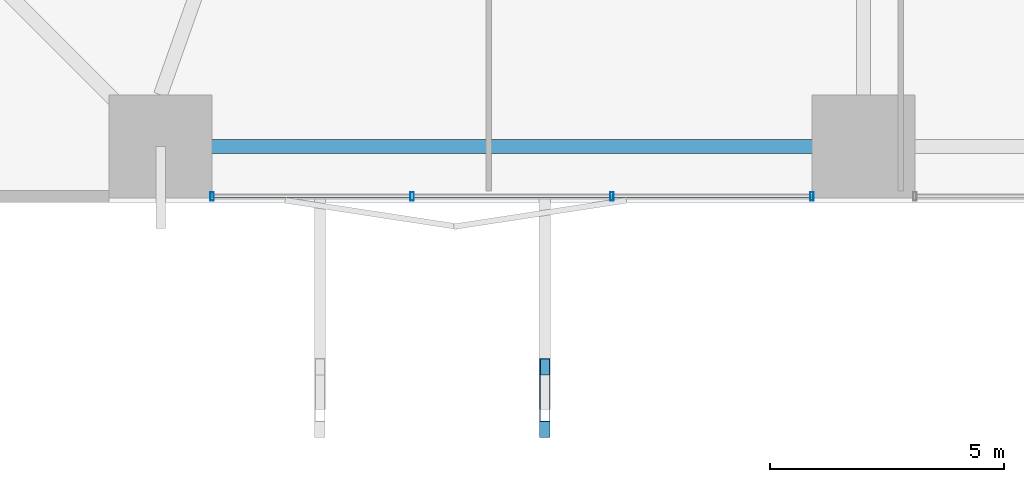
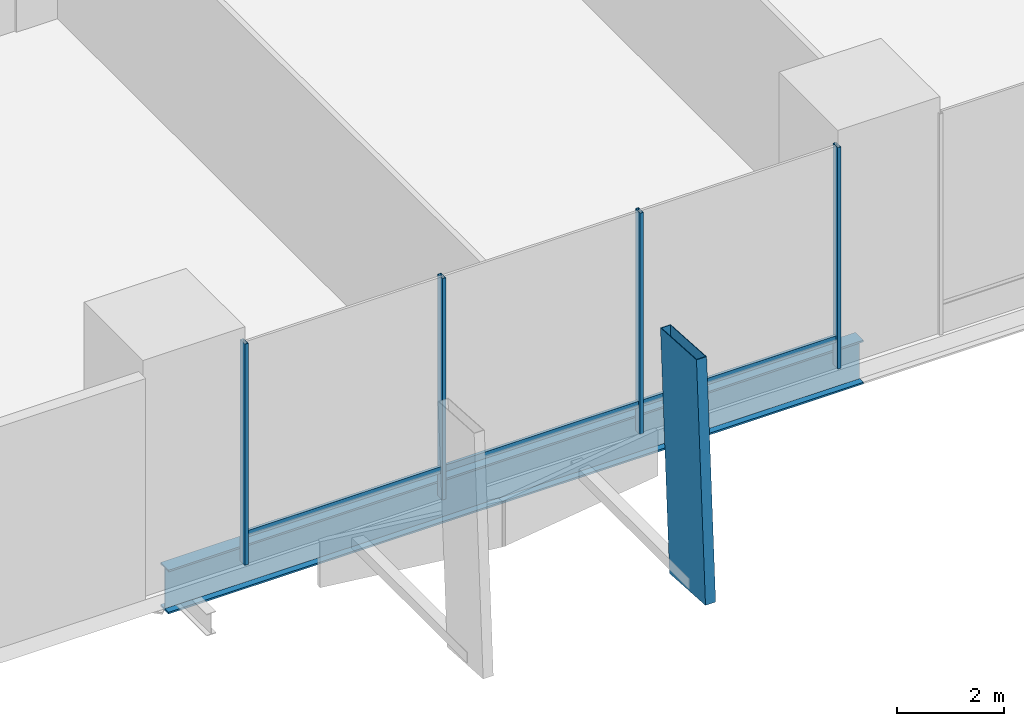
# One storey, part 2 of 24: 8 members, 1 beam, 1 element without a shape of its own.
"""IFC4 building model written with IfcOpenShell, lengths in metres."""

from ifc_helpers import new_model, si_unit, direction, frame, origin, origin_2d, place, context, subcontext, project, spatial, hollow_rectangle, i_section, extrude, material, layer, layer_set, material_profile, profile_set, type_object, element, aggregate, save


model = new_model("IFC4")

# Units and contexts
model_context = context("Model", 3, precision=1e-05, world=origin(), true_north=direction((0.0, 1.0)))
body_context = subcontext(model_context, "Body", "Model", "MODEL_VIEW")
ifc_project = project(units=[si_unit("LENGTHUNIT", "METRE"), si_unit("AREAUNIT", "SQUARE_METRE"), si_unit("VOLUMEUNIT", "CUBIC_METRE"), si_unit("PLANEANGLEUNIT", "RADIAN"), si_unit("MASSUNIT", "GRAM", prefix="KILO")], contexts=[model_context])

# Site, building, storey
site_placement = place(None, origin())
site = spatial("IfcSite", under=ifc_project, at=site_placement, CompositionType="ELEMENT")
building_placement = place(site_placement, origin())
building = spatial("IfcBuilding", under=site, at=building_placement, Name="Belovzor Exchange Tower", CompositionType="ELEMENT")
storey_placement = place(building_placement, frame((0.0, 0.0, 13.800048828125)))
storey = spatial("IfcBuildingStorey", under=building, at=storey_placement, Name="L03", CompositionType="ELEMENT", Elevation=13.800048828125)

# Member
ifc_material_1 = material(Name="Extruded Architectural Terracotta on Steel S355 Carrier", Category="masonry")
ifc_material_profile_1 = material_profile(ifc_material_1, hollow_rectangle(XDim=0.219970703125, YDim=1.35009765625, WallThickness=0.013916015625, at=origin_2d()))
ifc_profile_set_1 = profile_set([ifc_material_profile_1], Name="Extruded Architectural Terracotta on Steel S355 Carrier")
member_type_1 = type_object("IfcMemberType", Name="Base Arc Sweeping Terracotta Pylon Fin 1450", PredefinedType="USERDEFINED", material=ifc_profile_set_1)
member_1_placement = place(storey_placement, frame((22.0, -3.739990234375, -0.35009765625), z_axis=(0.0, 0.062448514419, 0.998048186736), x_axis=(-1.0, 0.0, 0.0)))
element("IfcMember", 1, at=member_1_placement, inside=storey, type_object=member_type_1, Name="FIN-TC145 Terracotta Facade Fin L03 S2", ObjectType="FIN", PredefinedType="USERDEFINED", context=body_context, shape_type="SweptSolid", body=[
    extrude(hollow_rectangle(XDim=0.219970703125, YDim=1.35009765625, WallThickness=0.013916015625, at=origin_2d()), origin(), (0.0, 0.0, 1.0), 5.41064453125),
])

# Beam
ifc_material_2 = material(Name="Steel S460", Category="steel")
ifc_material_profile_2 = material_profile(ifc_material_2, i_section(OverallWidth=0.300048828125, OverallDepth=1.0, WebThickness=0.02099609375, FlangeThickness=0.0400390625, at=origin_2d()))
ifc_profile_set_2 = profile_set([ifc_material_profile_2], Name="Steel S460")
beam_type = type_object("IfcBeamType", Name="Podium Exchange Hall Ring Girder HEM 1000", PredefinedType="BEAM", material=ifc_profile_set_2)
beam_placement = place(storey_placement, frame((13.800048828125, 1.800048828125, -0.85009765625), z_axis=(1.0, 0.0, 0.0), x_axis=(0.0, 1.0, 0.0)))
element("IfcBeam", 2, at=beam_placement, inside=storey, type_object=beam_type, Name="PG-1 Podium Exchange Hall Ring Girder HEM 1000", PredefinedType="BEAM", context=body_context, shape_type="SweptSolid", body=[
    extrude(i_section(OverallWidth=0.300048828125, OverallDepth=1.0, WebThickness=0.02099609375, FlangeThickness=0.0400390625, at=origin_2d()), origin(), (0.0, 0.0, 1.0), 15.0),
])

# Curtain wall, members
ifc_material_3 = material(Name="Anodised Aluminium Framing", Category="aluminium")
ifc_layer = layer(ifc_material_3, 0.219970703125)
ifc_layer_set = layer_set([ifc_layer], Name="Anodised Aluminium Framing")
curtain_wall_type = type_object("IfcCurtainWallType", Name="Podium Clear-Span Exchange Hall Unitised Curtain Wall", PredefinedType="NOTDEFINED", material=ifc_layer_set)
curtain_wall_placement = place(storey_placement, origin())
curtain_wall = element("IfcCurtainWall", 3, at=curtain_wall_placement, inside=storey, type_object=curtain_wall_type, Name="CW1 Podium Clear-Span Exchange Hall Unitised Curtain Wall L03", PredefinedType="NOTDEFINED")
ifc_material_4 = material(Name="Steel S355", Category="steel")
ifc_material_profile_3 = material_profile(ifc_material_4, hollow_rectangle(XDim=0.074951171875, YDim=0.179931640625, WallThickness=0.0048828125, at=origin_2d()))
ifc_profile_set_3 = profile_set([ifc_material_profile_3], Name="Steel S355")
member_type_2 = type_object("IfcMemberType", Name="Thermally Broken Curtain Wall Mullion 180x75", PredefinedType="MULLION", material=ifc_profile_set_3)
member_2_placement = place(storey_placement, frame((27.699951171875, 0.72998046875, 0.0), z_axis=(0.0, 0.0, 1.0), x_axis=(-1.0, 0.0, 0.0)))
member_2 = element("IfcMember", 4, at=member_2_placement, type_object=member_type_2, Name="CW-M180 Curtain Wall Mullion 1", PredefinedType="MULLION", context=body_context, shape_type="SweptSolid", body=[
    extrude(hollow_rectangle(XDim=0.074951171875, YDim=0.179931640625, WallThickness=0.0048828125, at=origin_2d()), origin(), (0.0, 0.0, 1.0), 5.050048828125),
])
member_3_placement = place(storey_placement, frame((23.43310546875, 0.72998046875, 0.0), z_axis=(0.0, 0.0, 1.0), x_axis=(-1.0, 0.0, 0.0)))
member_3 = element("IfcMember", 5, at=member_3_placement, type_object=member_type_2, Name="CW-M180 Curtain Wall Mullion 2", PredefinedType="MULLION", context=body_context, shape_type="SweptSolid", body=[
    extrude(hollow_rectangle(XDim=0.074951171875, YDim=0.179931640625, WallThickness=0.0048828125, at=origin_2d()), origin(), (0.0, 0.0, 1.0), 5.050048828125),
])
member_4_placement = place(storey_placement, frame((19.1669921875, 0.72998046875, 0.0), z_axis=(0.0, 0.0, 1.0), x_axis=(-1.0, 0.0, 0.0)))
member_4 = element("IfcMember", 6, at=member_4_placement, type_object=member_type_2, Name="CW-M180 Curtain Wall Mullion 3", PredefinedType="MULLION", context=body_context, shape_type="SweptSolid", body=[
    extrude(hollow_rectangle(XDim=0.074951171875, YDim=0.179931640625, WallThickness=0.0048828125, at=origin_2d()), origin(), (0.0, 0.0, 1.0), 5.050048828125),
])
member_5_placement = place(storey_placement, frame((14.89990234375, 0.72998046875, 0.0), z_axis=(0.0, 0.0, 1.0), x_axis=(-1.0, 0.0, 0.0)))
member_5 = element("IfcMember", 7, at=member_5_placement, type_object=member_type_2, Name="CW-M180 Curtain Wall Mullion 4", PredefinedType="MULLION", context=body_context, shape_type="SweptSolid", body=[
    extrude(hollow_rectangle(XDim=0.074951171875, YDim=0.179931640625, WallThickness=0.0048828125, at=origin_2d()), origin(), (0.0, 0.0, 1.0), 5.050048828125),
])
ifc_material_5 = material(Name="Steel S355", Category="steel")
ifc_material_profile_4 = material_profile(ifc_material_5, hollow_rectangle(XDim=0.06005859375, YDim=0.14990234375, WallThickness=0.00390625, at=origin_2d()))
ifc_profile_set_4 = profile_set([ifc_material_profile_4], Name="Steel S355")
member_type_3 = type_object("IfcMemberType", Name="Thermally Broken Curtain Wall Transom 150x60", PredefinedType="USERDEFINED", material=ifc_profile_set_4)
member_6_placement = place(storey_placement, frame((27.69189453125, 0.72998046875, 0.64990234375), z_axis=(-1.0, 0.0, 0.0), x_axis=(0.0, -1.0, 0.0)))
member_6 = element("IfcMember", 8, at=member_6_placement, type_object=member_type_3, Name="CW-T150 Curtain Wall Transom 1", ObjectType="TRANSOM", PredefinedType="USERDEFINED", context=body_context, shape_type="SweptSolid", body=[
    extrude(hollow_rectangle(XDim=0.06005859375, YDim=0.14990234375, WallThickness=0.00390625, at=origin_2d()), origin(), (0.0, 0.0, 1.0), 4.2509765625),
])
member_7_placement = place(storey_placement, frame((23.425048828125, 0.72998046875, 0.64990234375), z_axis=(-1.0, 0.0, 0.0), x_axis=(0.0, -1.0, 0.0)))
member_7 = element("IfcMember", 9, at=member_7_placement, type_object=member_type_3, Name="CW-T150 Curtain Wall Transom 2", ObjectType="TRANSOM", PredefinedType="USERDEFINED", context=body_context, shape_type="SweptSolid", body=[
    extrude(hollow_rectangle(XDim=0.06005859375, YDim=0.14990234375, WallThickness=0.00390625, at=origin_2d()), origin(), (0.0, 0.0, 1.0), 4.25),
])
member_8_placement = place(storey_placement, frame((19.158935546875, 0.72998046875, 0.64990234375), z_axis=(-1.0, 0.0, 0.0), x_axis=(0.0, -1.0, 0.0)))
member_8 = element("IfcMember", 10, at=member_8_placement, type_object=member_type_3, Name="CW-T150 Curtain Wall Transom 3", ObjectType="TRANSOM", PredefinedType="USERDEFINED", context=body_context, shape_type="SweptSolid", body=[
    extrude(hollow_rectangle(XDim=0.06005859375, YDim=0.14990234375, WallThickness=0.00390625, at=origin_2d()), origin(), (0.0, 0.0, 1.0), 4.2509765625),
])
aggregate(curtain_wall, [member_2, member_3, member_4, member_5, member_6, member_7, member_8])

save(model, "model.ifc")
